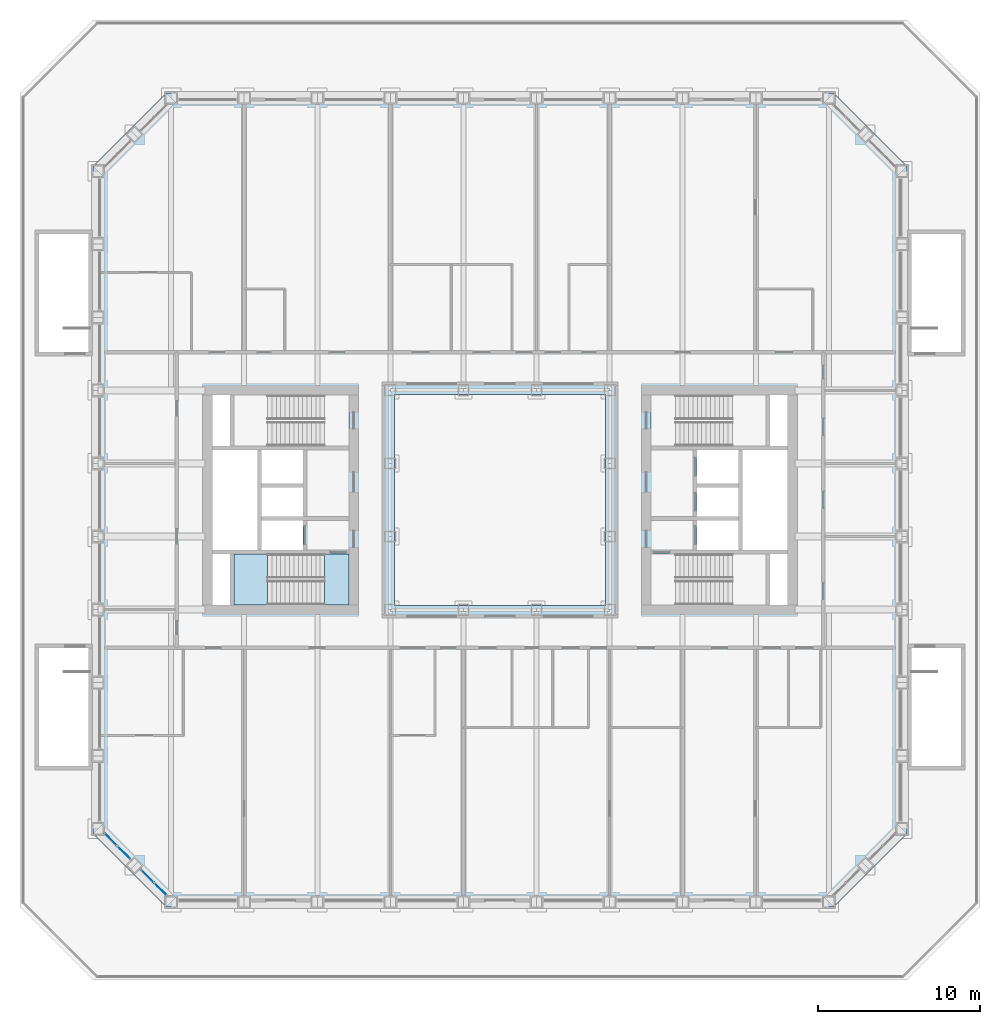
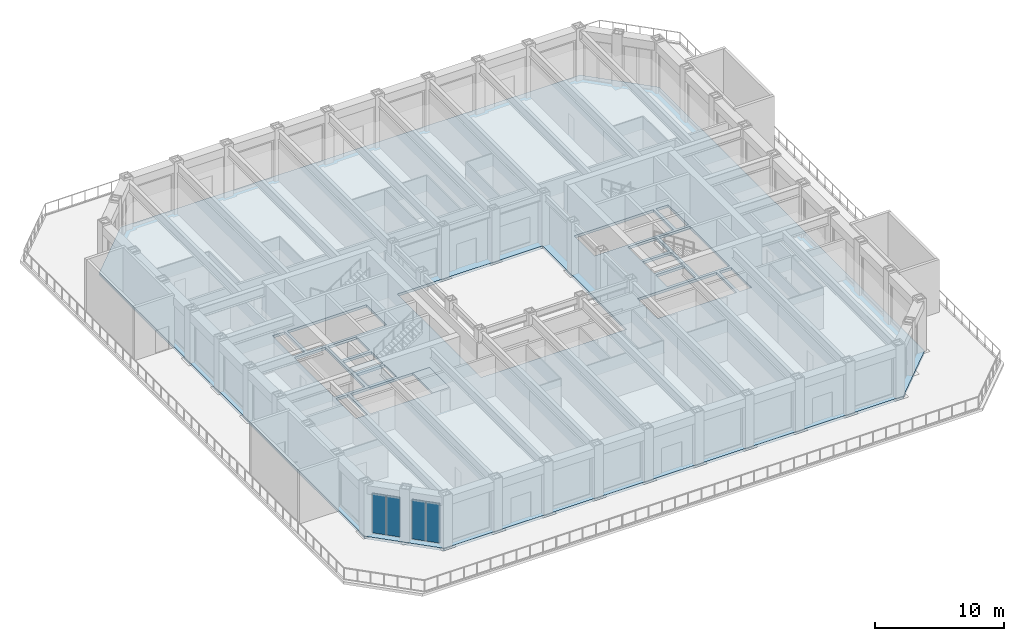
# One storey, part 6 of 18: 4 plates, 3 slabs, 3 elements without a shape of their own.
"""IFC4 building model written with IfcOpenShell, lengths in metres."""

from ifc_helpers import new_model, si_unit, direction, frame, origin, origin_2d, place, context, subcontext, project, spatial, polyline, rectangle, outline, extrude, material, layer, layer_set, type_object, element, aggregate, save


model = new_model("IFC4")

# Units and contexts
model_context = context("Model", 3, precision=1e-05, world=origin(), true_north=direction((0.0, 1.0)))
body_context = subcontext(model_context, "Body", "Model", "MODEL_VIEW")
ifc_project = project(units=[si_unit("LENGTHUNIT", "METRE"), si_unit("AREAUNIT", "SQUARE_METRE"), si_unit("VOLUMEUNIT", "CUBIC_METRE"), si_unit("PLANEANGLEUNIT", "RADIAN"), si_unit("MASSUNIT", "GRAM", prefix="KILO")], contexts=[model_context])

# Site, building, storey
site_placement = place(None, origin())
site = spatial("IfcSite", under=ifc_project, at=site_placement, CompositionType="ELEMENT")
building_placement = place(site_placement, origin())
building = spatial("IfcBuilding", under=site, at=building_placement, Name="Msasa Ring Tower", CompositionType="ELEMENT")
storey_placement = place(building_placement, frame((0.0, 0.0, 21.5)))
storey = spatial("IfcBuildingStorey", under=building, at=storey_placement, Name="L04", CompositionType="ELEMENT", Elevation=21.5)

# Curtain wall, plates
ifc_material_1 = material(Name="Aluminium curtain wall with clear glass", Category="aluminium")
curtain_wall_type = type_object("IfcCurtainWallType", Name="CW-C CHAMFER CORNER CURTAIN WALL", PredefinedType="NOTDEFINED", material=ifc_material_1)
curtain_wall_1_placement = place(storey_placement, origin())
curtain_wall_1 = element("IfcCurtainWall", 1, at=curtain_wall_1_placement, inside=storey, type_object=curtain_wall_type, Name="Chamfer corner curtain wall SW L04", PredefinedType="NOTDEFINED")
ifc_material_2 = material(Name="Clear laminated insulating glass unit", Category="glass")
ifc_layer_1 = layer(ifc_material_2, 0.031982421875)
ifc_layer_set_1 = layer_set([ifc_layer_1], Name="CW-C GLASS PANEL 32")
plate_type = type_object("IfcPlateType", Name="CW-C GLASS PANEL 32", PredefinedType="CURTAIN_PANEL", material=ifc_layer_set_1)
plate_1_placement = place(storey_placement, frame((-23.962158203125, -20.896484375, 0.06494140625), z_axis=(0.0, 0.0, 1.0), x_axis=(0.707106781187, -0.707106781187, 0.0)))
plate_1 = element("IfcPlate", 2, at=plate_1_placement, type_object=plate_type, Name="CW-C panel 1.1", PredefinedType="CURTAIN_PANEL", context=body_context, shape_type="SweptSolid", body=[
    extrude(rectangle(XDim=1.08837890625, YDim=0.031982421875, at=origin_2d()), origin(), (0.0, 0.0, 1.0), 3.7490234375),
])
plate_2_placement = place(storey_placement, frame((-23.146484375, -21.712158203125, 0.06494140625), z_axis=(0.0, 0.0, 1.0), x_axis=(0.707106781187, -0.707106781187, 0.0)))
plate_2 = element("IfcPlate", 3, at=plate_2_placement, type_object=plate_type, Name="CW-C panel 2.1", PredefinedType="CURTAIN_PANEL", context=body_context, shape_type="SweptSolid", body=[
    extrude(rectangle(XDim=1.08837890625, YDim=0.031982421875, at=origin_2d()), origin(), (0.0, 0.0, 1.0), 3.7490234375),
])
aggregate(curtain_wall_1, [plate_1, plate_2])

curtain_wall_2_placement = place(storey_placement, origin())
curtain_wall_2 = element("IfcCurtainWall", 4, at=curtain_wall_2_placement, inside=storey, type_object=curtain_wall_type, Name="Chamfer corner curtain wall SW L04", PredefinedType="NOTDEFINED")
plate_3_placement = place(storey_placement, frame((-21.712158203125, -23.146484375, 0.06494140625), z_axis=(0.0, 0.0, 1.0), x_axis=(0.707106781187, -0.707106781187, 0.0)))
plate_3 = element("IfcPlate", 5, at=plate_3_placement, type_object=plate_type, Name="CW-C panel 1.1", PredefinedType="CURTAIN_PANEL", context=body_context, shape_type="SweptSolid", body=[
    extrude(rectangle(XDim=1.08837890625, YDim=0.031982421875, at=origin_2d()), origin(), (0.0, 0.0, 1.0), 3.7490234375),
])
plate_4_placement = place(storey_placement, frame((-20.896484375, -23.962158203125, 0.06494140625), z_axis=(0.0, 0.0, 1.0), x_axis=(0.707106781187, -0.707106781187, 0.0)))
plate_4 = element("IfcPlate", 6, at=plate_4_placement, type_object=plate_type, Name="CW-C panel 2.1", PredefinedType="CURTAIN_PANEL", context=body_context, shape_type="SweptSolid", body=[
    extrude(rectangle(XDim=1.08837890625, YDim=0.031982421875, at=origin_2d()), origin(), (0.0, 0.0, 1.0), 3.7490234375),
])
aggregate(curtain_wall_2, [plate_3, plate_4])

# Stair, slabs
ifc_material_3 = material(Name="Concrete C40/50", Category="concrete")
stair_type = type_object("IfcStairType", Name="STC CORE STAIR 28 RISERS 178.6", PredefinedType="HALF_TURN_STAIR", material=ifc_material_3)
stair_placement = place(storey_placement, origin())
stair = element("IfcStair", 7, at=stair_placement, inside=storey, type_object=stair_type, Name="Core stair SWA L04", PredefinedType="HALF_TURN_STAIR")
ifc_material_4 = material(Name="Concrete C40/50", Category="concrete")
ifc_layer_2 = layer(ifc_material_4, 0.199951171875)
ifc_layer_set_2 = layer_set([ifc_layer_2], Name="LD1 CORE STAIR LANDING 200")
slab_type_1 = type_object("IfcSlabType", Name="LD1 CORE STAIR LANDING 200", PredefinedType="LANDING", material=ifc_layer_set_2)
slab_1_placement = place(storey_placement, frame((0.0, 0.0, -0.199951171875)))
slab_1 = element("IfcSlab", 8, at=slab_1_placement, type_object=slab_type_1, Name="SWA landing 1", PredefinedType="LANDING", context=body_context, shape_type="SweptSolid", body=[
    extrude(outline(polyline([(-10.800048828125, -6.449951171875), (-9.300048828125, -6.449951171875), (-9.300048828125, -3.324951171875), (-10.800048828125, -3.324951171875), (-10.800048828125, -6.449951171875)])), origin(), (0.0, 0.0, 1.0), 0.199951171875),
])
slab_2_placement = place(storey_placement, frame((0.0, 0.0, 2.300048828125)))
slab_2 = element("IfcSlab", 9, at=slab_2_placement, type_object=slab_type_1, Name="SWA landing 2", PredefinedType="LANDING", context=body_context, shape_type="SweptSolid", body=[
    extrude(outline(polyline([(-16.375, -6.449951171875), (-14.31005859375, -6.449951171875), (-14.31005859375, -3.324951171875), (-16.375, -3.324951171875), (-16.375, -6.449951171875)])), origin(), (0.0, 0.0, 1.0), 0.199951171875),
])
aggregate(stair, [slab_1, slab_2])

# Slab
ifc_material_5 = material(Name="Concrete C40/50", Category="concrete")
ifc_layer_3 = layer(ifc_material_5, 0.25)
ifc_layer_set_3 = layer_set([ifc_layer_3], Name="S2 AMENITY FLOOR 250")
slab_type_2 = type_object("IfcSlabType", Name="S2 AMENITY FLOOR 250", PredefinedType="FLOOR", material=ifc_layer_set_3)
slab_3_placement = place(storey_placement, frame((0.0, 0.0, -0.25)))
element("IfcSlab", 10, at=slab_3_placement, inside=storey, type_object=slab_type_2, Name="Floor slab L04", PredefinedType="FLOOR", context=body_context, shape_type="SweptSolid", body=[
    extrude(outline(polyline([(-20.550048828125, -25.050048828125), (20.550048828125, -25.050048828125), (25.050048828125, -20.550048828125), (25.050048828125, 20.550048828125), (20.550048828125, 25.050048828125), (-20.550048828125, 25.050048828125), (-25.050048828125, 20.550048828125), (-25.050048828125, -20.550048828125), (-20.550048828125, -25.050048828125)]), holes=[polyline([(-6.5, -6.5), (6.5, -6.5), (6.5, 6.5), (-6.5, 6.5), (-6.5, -6.5)]), polyline([(9.300048828125, -6.449951171875), (16.375, -6.449951171875), (16.375, -3.324951171875), (9.300048828125, -3.324951171875), (9.300048828125, -6.449951171875)]), polyline([(9.300048828125, 3.324951171875), (16.375, 3.324951171875), (16.375, 6.449951171875), (9.300048828125, 6.449951171875), (9.300048828125, 3.324951171875)]), polyline([(12.125, -3.074951171875), (14.675048828125, -3.074951171875), (14.675048828125, -1.27490234375), (12.125, -1.27490234375), (12.125, -3.074951171875)]), polyline([(12.125, -1.02490234375), (14.675048828125, -1.02490234375), (14.675048828125, 0.77490234375), (12.125, 0.77490234375), (12.125, -1.02490234375)]), polyline([(12.125, 1.02490234375), (14.675048828125, 1.02490234375), (14.675048828125, 3.074951171875), (12.125, 3.074951171875), (12.125, 1.02490234375)]), polyline([(16.625, -6.449951171875), (17.699951171875, -6.449951171875), (17.699951171875, -3.324951171875), (16.625, -3.324951171875), (16.625, -6.449951171875)]), polyline([(16.625, 3.324951171875), (17.699951171875, 3.324951171875), (17.699951171875, 6.449951171875), (16.625, 6.449951171875), (16.625, 3.324951171875)]), polyline([(14.925048828125, -3.074951171875), (17.699951171875, -3.074951171875), (17.699951171875, 3.074951171875), (14.925048828125, 3.074951171875), (14.925048828125, -3.074951171875)]), polyline([(-16.375, -6.449951171875), (-9.300048828125, -6.449951171875), (-9.300048828125, -3.324951171875), (-16.375, -3.324951171875), (-16.375, -6.449951171875)]), polyline([(-16.375, 3.324951171875), (-9.300048828125, 3.324951171875), (-9.300048828125, 6.449951171875), (-16.375, 6.449951171875), (-16.375, 3.324951171875)]), polyline([(-14.675048828125, -3.074951171875), (-12.125, -3.074951171875), (-12.125, -1.27490234375), (-14.675048828125, -1.27490234375), (-14.675048828125, -3.074951171875)]), polyline([(-14.675048828125, -1.02490234375), (-12.125, -1.02490234375), (-12.125, 0.77490234375), (-14.675048828125, 0.77490234375), (-14.675048828125, -1.02490234375)]), polyline([(-14.675048828125, 1.02490234375), (-12.125, 1.02490234375), (-12.125, 3.074951171875), (-14.675048828125, 3.074951171875), (-14.675048828125, 1.02490234375)]), polyline([(-17.699951171875, -6.449951171875), (-16.625, -6.449951171875), (-16.625, -3.324951171875), (-17.699951171875, -3.324951171875), (-17.699951171875, -6.449951171875)]), polyline([(-17.699951171875, 3.324951171875), (-16.625, 3.324951171875), (-16.625, 6.449951171875), (-17.699951171875, 6.449951171875), (-17.699951171875, 3.324951171875)]), polyline([(-17.699951171875, -3.074951171875), (-14.925048828125, -3.074951171875), (-14.925048828125, 3.074951171875), (-17.699951171875, 3.074951171875), (-17.699951171875, -3.074951171875)])]), origin(), (0.0, 0.0, 1.0), 0.25),
])

save(model, "model.ifc")
